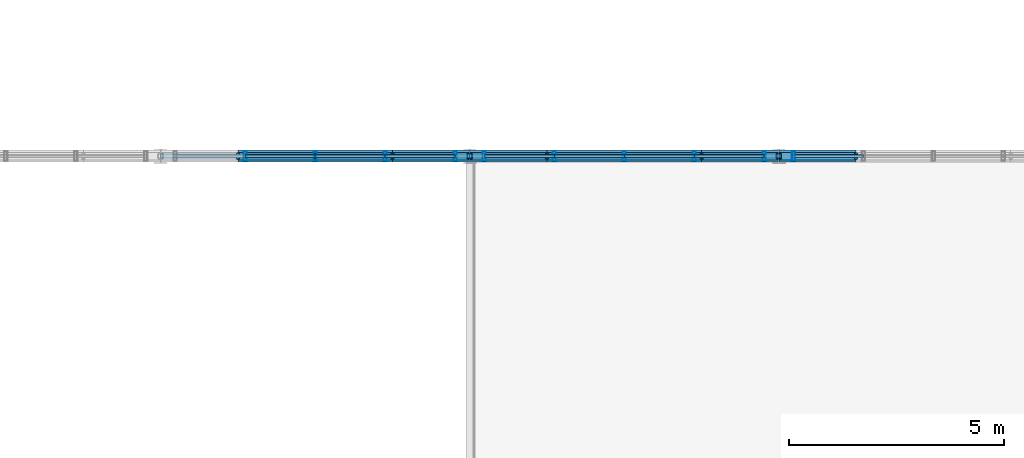
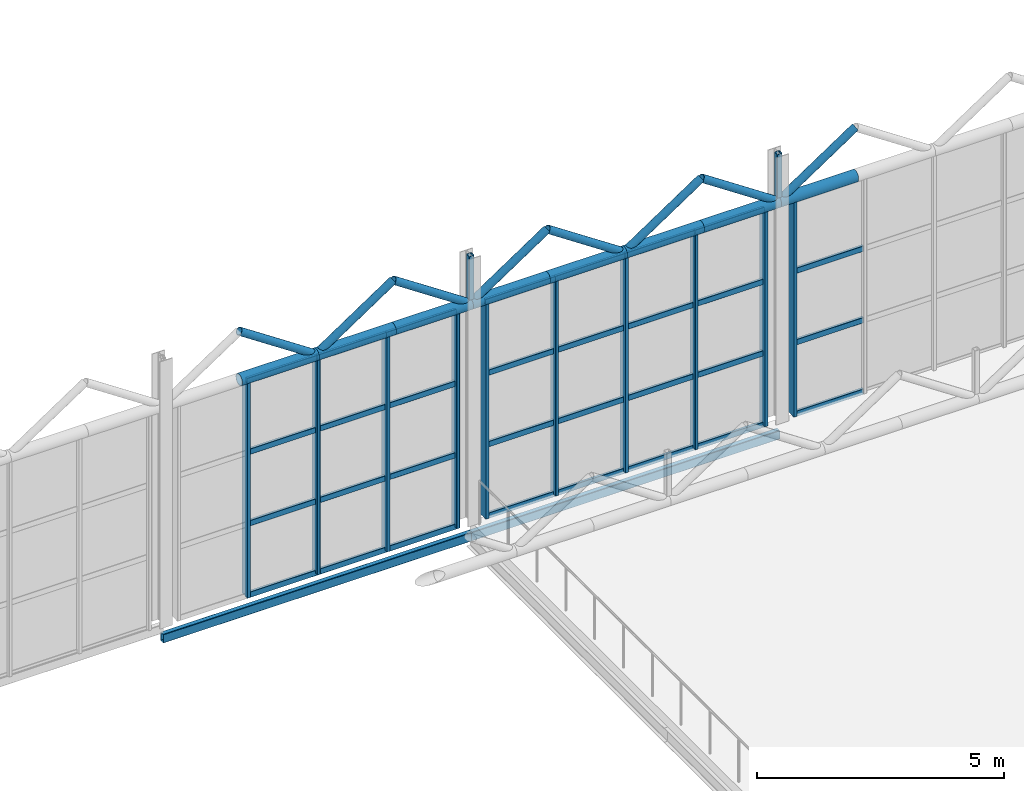
# One storey, part 97 of 153: 59 members, 2 beams, 3 elements without a shape of their own.
"""IFC4 building model written with IfcOpenShell, lengths in metres."""

from ifc_helpers import new_model, si_unit, derived_unit, direction, frame, origin, origin_2d, place, context, subcontext, project, spatial, hollow_rectangle, hollow_circle, extrude, material, material_profile, profile_set, type_object, element, aggregate, save


model = new_model("IFC4")

# Units and contexts
model_context = context("Model", 3, precision=1e-05, world=origin(), true_north=direction((0.0, 1.0)))
body_context = subcontext(model_context, "Body", "Model", "MODEL_VIEW")
ifc_project = project(units=[si_unit("LENGTHUNIT", "METRE"), si_unit("AREAUNIT", "SQUARE_METRE"), si_unit("VOLUMEUNIT", "CUBIC_METRE"), si_unit("PLANEANGLEUNIT", "RADIAN"), si_unit("MASSUNIT", "GRAM", prefix="KILO"), derived_unit("THERMALTRANSMITTANCEUNIT", [(si_unit("POWERUNIT", "WATT"), 1), (si_unit("LENGTHUNIT", "METRE"), -2), (si_unit("THERMODYNAMICTEMPERATUREUNIT", "KELVIN"), -1)])], contexts=[model_context])

# Site, building, storey
site_placement = place(None, origin())
site = spatial("IfcSite", under=ifc_project, at=site_placement, CompositionType="ELEMENT")
building_placement = place(site_placement, origin())
building = spatial("IfcBuilding", under=site, at=building_placement, Name="Keldorne Ridge Multi-Sports Centre", CompositionType="ELEMENT")
storey_placement = place(building_placement, frame((0.0, 0.0, 9.60009765625)))
storey = spatial("IfcBuildingStorey", under=building, at=storey_placement, Name="L02", CompositionType="ELEMENT", Elevation=9.60009765625)

# Beams
ifc_material_1 = material(Name="Steel S355", Category="steel")
ifc_material_profile_1 = material_profile(ifc_material_1, hollow_rectangle(XDim=0.1201171875, YDim=0.219970703125, WallThickness=0.010009765625, InnerFilletRadius=0.010009765625, OuterFilletRadius=0.02001953125, at=origin_2d()), Name="RHS 220x120x10")
ifc_profile_set_1 = profile_set([ifc_material_profile_1], Name="Steel S355")
beam_type = type_object("IfcBeamType", Name="BM-SP-07", PredefinedType="SPANDREL", material=ifc_profile_set_1)
beam_1_placement = place(storey_placement, frame((20.39990234375, 114.0, -0.360107421875), z_axis=(1.0, 0.0, 0.0), x_axis=(0.0, 1.0, 0.0)))
element("IfcBeam", 1, at=beam_1_placement, inside=storey, type_object=beam_type, Name="Climbing spandrel L02.114.3", PredefinedType="SPANDREL", context=body_context, shape_type="SweptSolid", body=[
    extrude(hollow_rectangle(XDim=0.1201171875, YDim=0.219970703125, WallThickness=0.010009765625, InnerFilletRadius=0.010009765625, OuterFilletRadius=0.02001953125, at=origin_2d()), origin(), (0.0, 0.0, 1.0), 7.2001953125),
])
beam_2_placement = place(storey_placement, frame((27.60009765625, 114.0, -0.360107421875), z_axis=(1.0, 0.0, 0.0), x_axis=(0.0, 1.0, 0.0)))
element("IfcBeam", 2, at=beam_2_placement, inside=storey, type_object=beam_type, Name="Climbing spandrel L02.114.4", PredefinedType="SPANDREL", context=body_context, shape_type="SweptSolid", body=[
    extrude(hollow_rectangle(XDim=0.1201171875, YDim=0.219970703125, WallThickness=0.010009765625, InnerFilletRadius=0.010009765625, OuterFilletRadius=0.02001953125, at=origin_2d()), origin(), (0.0, 0.0, 1.0), 7.199951171875),
])

# Curtain wall, members
ifc_material_2 = material(Name="Anodized aluminium", Category="aluminium")
curtain_wall_type_1 = type_object("IfcCurtainWallType", Name="CW-CW-07", PredefinedType="NOTDEFINED", material=ifc_material_2)
curtain_wall_1_placement = place(storey_placement, origin())
curtain_wall_1 = element("IfcCurtainWall", 3, at=curtain_wall_1_placement, inside=storey, type_object=curtain_wall_type_1, Name="Climbing north glazing L02 047", PredefinedType="NOTDEFINED")
ifc_material_profile_2 = material_profile(ifc_material_2, hollow_rectangle(XDim=0.074951171875, YDim=0.219970703125, WallThickness=0.0048828125, InnerFilletRadius=0.0048828125, OuterFilletRadius=0.010009765625, at=origin_2d()), Name="ALU MULLION 220x75x5")
ifc_profile_set_2 = profile_set([ifc_material_profile_2], Name="Anodized aluminium")
member_type_1 = type_object("IfcMemberType", Name="MEM-ML-02", PredefinedType="MULLION", material=ifc_profile_set_2)
member_1_placement = place(storey_placement, frame((27.260009765625, 114.0, 0.0), z_axis=(0.0, 0.0, 1.0), x_axis=(1.0, 0.0, 0.0)))
member_1 = element("IfcMember", 4, at=member_1_placement, type_object=member_type_1, Name="CW-047 vertical mullion 1", PredefinedType="MULLION", context=body_context, shape_type="SweptSolid", body=[
    extrude(hollow_rectangle(XDim=0.074951171875, YDim=0.219970703125, WallThickness=0.0048828125, InnerFilletRadius=0.0048828125, OuterFilletRadius=0.010009765625, at=origin_2d()), origin(), (0.0, 0.0, 1.0), 5.2998046875),
])
member_2_placement = place(storey_placement, frame((25.6298828125, 114.0, 0.0), z_axis=(0.0, 0.0, 1.0), x_axis=(1.0, 0.0, 0.0)))
member_2 = element("IfcMember", 5, at=member_2_placement, type_object=member_type_1, Name="CW-047 vertical mullion 2", PredefinedType="MULLION", context=body_context, shape_type="SweptSolid", body=[
    extrude(hollow_rectangle(XDim=0.074951171875, YDim=0.219970703125, WallThickness=0.0048828125, InnerFilletRadius=0.0048828125, OuterFilletRadius=0.010009765625, at=origin_2d()), origin(), (0.0, 0.0, 1.0), 5.2998046875),
])
member_3_placement = place(storey_placement, frame((24.0, 114.0, 0.0), z_axis=(0.0, 0.0, 1.0), x_axis=(1.0, 0.0, 0.0)))
member_3 = element("IfcMember", 6, at=member_3_placement, type_object=member_type_1, Name="CW-047 vertical mullion 3", PredefinedType="MULLION", context=body_context, shape_type="SweptSolid", body=[
    extrude(hollow_rectangle(XDim=0.074951171875, YDim=0.219970703125, WallThickness=0.0048828125, InnerFilletRadius=0.0048828125, OuterFilletRadius=0.010009765625, at=origin_2d()), origin(), (0.0, 0.0, 1.0), 5.2998046875),
])
member_4_placement = place(storey_placement, frame((22.3701171875, 114.0, 0.0), z_axis=(0.0, 0.0, 1.0), x_axis=(1.0, 0.0, 0.0)))
member_4 = element("IfcMember", 7, at=member_4_placement, type_object=member_type_1, Name="CW-047 vertical mullion 4", PredefinedType="MULLION", context=body_context, shape_type="SweptSolid", body=[
    extrude(hollow_rectangle(XDim=0.074951171875, YDim=0.219970703125, WallThickness=0.0048828125, InnerFilletRadius=0.0048828125, OuterFilletRadius=0.010009765625, at=origin_2d()), origin(), (0.0, 0.0, 1.0), 5.2998046875),
])

curtain_wall_type_2 = type_object("IfcCurtainWallType", Name="CW-CW-03", PredefinedType="NOTDEFINED", material=ifc_material_2)
curtain_wall_2_placement = place(storey_placement, origin())
curtain_wall_2 = element("IfcCurtainWall", 8, at=curtain_wall_2_placement, inside=storey, type_object=curtain_wall_type_2, Name="Climbing north glazing L02 051", PredefinedType="NOTDEFINED")
member_5_placement = place(storey_placement, frame((34.4599609375, 114.0, 0.0), z_axis=(0.0, 0.0, 1.0), x_axis=(1.0, 0.0, 0.0)))
member_5 = element("IfcMember", 9, at=member_5_placement, type_object=member_type_1, Name="CW-051 vertical mullion 1", PredefinedType="MULLION", context=body_context, shape_type="SweptSolid", body=[
    extrude(hollow_rectangle(XDim=0.074951171875, YDim=0.219970703125, WallThickness=0.0048828125, InnerFilletRadius=0.0048828125, OuterFilletRadius=0.010009765625, at=origin_2d()), origin(), (0.0, 0.0, 1.0), 5.2998046875),
])
member_6_placement = place(storey_placement, frame((32.830078125, 114.0, 0.0), z_axis=(0.0, 0.0, 1.0), x_axis=(1.0, 0.0, 0.0)))
member_6 = element("IfcMember", 10, at=member_6_placement, type_object=member_type_1, Name="CW-051 vertical mullion 2", PredefinedType="MULLION", context=body_context, shape_type="SweptSolid", body=[
    extrude(hollow_rectangle(XDim=0.074951171875, YDim=0.219970703125, WallThickness=0.0048828125, InnerFilletRadius=0.0048828125, OuterFilletRadius=0.010009765625, at=origin_2d()), origin(), (0.0, 0.0, 1.0), 5.2998046875),
])
member_7_placement = place(storey_placement, frame((31.199951171875, 114.0, 0.0), z_axis=(0.0, 0.0, 1.0), x_axis=(1.0, 0.0, 0.0)))
member_7 = element("IfcMember", 11, at=member_7_placement, type_object=member_type_1, Name="CW-051 vertical mullion 3", PredefinedType="MULLION", context=body_context, shape_type="SweptSolid", body=[
    extrude(hollow_rectangle(XDim=0.074951171875, YDim=0.219970703125, WallThickness=0.0048828125, InnerFilletRadius=0.0048828125, OuterFilletRadius=0.010009765625, at=origin_2d()), origin(), (0.0, 0.0, 1.0), 5.2998046875),
])
member_8_placement = place(storey_placement, frame((29.570068359375, 114.0, 0.0), z_axis=(0.0, 0.0, 1.0), x_axis=(1.0, 0.0, 0.0)))
member_8 = element("IfcMember", 12, at=member_8_placement, type_object=member_type_1, Name="CW-051 vertical mullion 4", PredefinedType="MULLION", context=body_context, shape_type="SweptSolid", body=[
    extrude(hollow_rectangle(XDim=0.074951171875, YDim=0.219970703125, WallThickness=0.0048828125, InnerFilletRadius=0.0048828125, OuterFilletRadius=0.010009765625, at=origin_2d()), origin(), (0.0, 0.0, 1.0), 5.2998046875),
])
member_9_placement = place(storey_placement, frame((27.93994140625, 114.0, 0.0), z_axis=(0.0, 0.0, 1.0), x_axis=(1.0, 0.0, 0.0)))
member_9 = element("IfcMember", 13, at=member_9_placement, type_object=member_type_1, Name="CW-051 vertical mullion 5", PredefinedType="MULLION", context=body_context, shape_type="SweptSolid", body=[
    extrude(hollow_rectangle(XDim=0.074951171875, YDim=0.219970703125, WallThickness=0.0048828125, InnerFilletRadius=0.0048828125, OuterFilletRadius=0.010009765625, at=origin_2d()), origin(), (0.0, 0.0, 1.0), 5.2998046875),
])

# Curtain wall, member
curtain_wall_type_3 = type_object("IfcCurtainWallType", Name="CW-CW-01", PredefinedType="NOTDEFINED", material=ifc_material_2)
curtain_wall_3_placement = place(storey_placement, origin())
curtain_wall_3 = element("IfcCurtainWall", 14, at=curtain_wall_3_placement, inside=storey, type_object=curtain_wall_type_3, Name="Climbing north glazing L02 057", PredefinedType="NOTDEFINED")
member_10_placement = place(storey_placement, frame((35.139892578125, 114.0, 0.0), z_axis=(0.0, 0.0, 1.0), x_axis=(1.0, 0.0, 0.0)))
member_10 = element("IfcMember", 15, at=member_10_placement, type_object=member_type_1, Name="CW-057 vertical mullion 5", PredefinedType="MULLION", context=body_context, shape_type="SweptSolid", body=[
    extrude(hollow_rectangle(XDim=0.074951171875, YDim=0.219970703125, WallThickness=0.0048828125, InnerFilletRadius=0.0048828125, OuterFilletRadius=0.010009765625, at=origin_2d()), origin(), (0.0, 0.0, 1.0), 5.2998046875),
])

# Members
ifc_material_profile_3 = material_profile(ifc_material_1, hollow_circle(Radius=0.136474609375, WallThickness=0.012451171875, at=origin_2d()), Name="CHS 273x12.5")
ifc_profile_set_3 = profile_set([ifc_material_profile_3], Name="Steel S355")
member_type_2 = type_object("IfcMemberType", Name="MEM-TC-05", PredefinedType="CHORD", material=ifc_profile_set_3)
for number, where, z_axis, x_axis, name in (
    (16, (22.199951171875, 114.0, 5.3798828125), (1.0, 0.0, 0.0), (0.0, 1.0, 0.0), "Climbing sawtooth ROOF TRUSS ST-06 bottom chord 10"),
    (17, (24.0, 114.0, 5.3798828125), (1.0, 0.0, 0.0), (0.0, 1.0, 0.0), "Climbing sawtooth ROOF TRUSS ST-06 bottom chord 11"),
    (18, (25.800048828125, 114.0, 5.3798828125), (1.0, 0.0, 0.0), (0.0, 1.0, 0.0), "Climbing sawtooth ROOF TRUSS ST-06 bottom chord 12"),
):
    element("IfcMember", number, at=place(storey_placement, frame(where, z_axis=z_axis, x_axis=x_axis)), inside=storey, type_object=member_type_2, Name=name, PredefinedType="CHORD", context=body_context, shape_type="SweptSolid", body=[
        extrude(hollow_circle(Radius=0.136474609375, WallThickness=0.012451171875, at=origin_2d()), origin(), (0.0, 0.0, 1.0), 1.800048828125),
    ])
member_11_placement = place(storey_placement, frame((27.60009765625, 114.0, 5.3798828125), z_axis=(1.0, 0.0, 0.0), x_axis=(0.0, 1.0, 0.0)))
element("IfcMember", 19, at=member_11_placement, inside=storey, type_object=member_type_2, Name="Climbing sawtooth ROOF TRUSS ST-06 bottom chord 13", PredefinedType="CHORD", context=body_context, shape_type="SweptSolid", body=[
    extrude(hollow_circle(Radius=0.136474609375, WallThickness=0.012451171875, at=origin_2d()), origin(), (0.0, 0.0, 1.0), 1.7998046875),
])
for number, where, z_axis, x_axis, name in (
    (20, (29.39990234375, 114.0, 5.3798828125), (1.0, 0.0, 0.0), (0.0, 1.0, 0.0), "Climbing sawtooth ROOF TRUSS ST-06 bottom chord 14"),
    (21, (31.199951171875, 114.0, 5.3798828125), (1.0, 0.0, 0.0), (0.0, 1.0, 0.0), "Climbing sawtooth ROOF TRUSS ST-06 bottom chord 15"),
    (22, (33.0, 114.0, 5.3798828125), (1.0, 0.0, 0.0), (0.0, 1.0, 0.0), "Climbing sawtooth ROOF TRUSS ST-06 bottom chord 16"),
    (23, (34.800048828125, 114.0, 5.3798828125), (1.0, 0.0, 0.0), (0.0, 1.0, 0.0), "Climbing sawtooth ROOF TRUSS ST-06 bottom chord 17"),
):
    element("IfcMember", number, at=place(storey_placement, frame(where, z_axis=z_axis, x_axis=x_axis)), inside=storey, type_object=member_type_2, Name=name, PredefinedType="CHORD", context=body_context, shape_type="SweptSolid", body=[
        extrude(hollow_circle(Radius=0.136474609375, WallThickness=0.012451171875, at=origin_2d()), origin(), (0.0, 0.0, 1.0), 1.800048828125),
    ])
ifc_material_profile_4 = material_profile(ifc_material_1, hollow_circle(Radius=0.0888671875, WallThickness=0.010009765625, at=origin_2d()), Name="CHS 177.8x10")
ifc_profile_set_4 = profile_set([ifc_material_profile_4], Name="Steel S355")
member_type_3 = type_object("IfcMemberType", Name="MEM-TD-03", PredefinedType="BRACE", material=ifc_profile_set_4)
for number, where, z_axis, x_axis, name in (
    (24, (22.199951171875, 114.0, 6.579833984375), (0.832067655982, 0.0, -0.554674152876), (0.0, 1.0, 0.0), "Climbing sawtooth web diagonal 06.10"),
    (25, (24.0, 114.0, 5.3798828125), (0.832067655982, 0.0, 0.554674152876), (0.0, 1.0, 0.0), "Climbing sawtooth web diagonal 06.11"),
    (26, (25.800048828125, 114.0, 6.579833984375), (0.832067655982, 0.0, -0.554674152876), (0.0, 1.0, 0.0), "Climbing sawtooth web diagonal 06.12"),
):
    element("IfcMember", number, at=place(storey_placement, frame(where, z_axis=z_axis, x_axis=x_axis)), inside=storey, type_object=member_type_3, Name=name, PredefinedType="BRACE", context=body_context, shape_type="SweptSolid", body=[
        extrude(hollow_circle(Radius=0.0888671875, WallThickness=0.010009765625, at=origin_2d()), origin(), (0.0, 0.0, 1.0), 2.163330078125),
    ])
member_12_placement = place(storey_placement, frame((27.60009765625, 114.0, 5.3798828125), z_axis=(0.832032930248, 0.0, 0.554726241477), x_axis=(0.0, 1.0, 0.0)))
element("IfcMember", 27, at=member_12_placement, inside=storey, type_object=member_type_3, Name="Climbing sawtooth web diagonal 06.13", PredefinedType="BRACE", context=body_context, shape_type="SweptSolid", body=[
    extrude(hollow_circle(Radius=0.0888671875, WallThickness=0.010009765625, at=origin_2d()), origin(), (0.0, 0.0, 1.0), 2.1630859375),
])
for number, where, z_axis, x_axis, name in (
    (28, (29.39990234375, 114.0, 6.579833984375), (0.832067655982, 0.0, -0.554674152876), (0.0, 1.0, 0.0), "Climbing sawtooth web diagonal 06.14"),
    (29, (31.199951171875, 114.0, 5.3798828125), (0.832067655982, 0.0, 0.554674152876), (0.0, 1.0, 0.0), "Climbing sawtooth web diagonal 06.15"),
    (30, (33.0, 114.0, 6.579833984375), (0.832067655982, 0.0, -0.554674152876), (0.0, 1.0, 0.0), "Climbing sawtooth web diagonal 06.16"),
    (31, (34.800048828125, 114.0, 5.3798828125), (0.832067655982, 0.0, 0.554674152876), (0.0, 1.0, 0.0), "Climbing sawtooth web diagonal 06.17"),
):
    element("IfcMember", number, at=place(storey_placement, frame(where, z_axis=z_axis, x_axis=x_axis)), inside=storey, type_object=member_type_3, Name=name, PredefinedType="BRACE", context=body_context, shape_type="SweptSolid", body=[
        extrude(hollow_circle(Radius=0.0888671875, WallThickness=0.010009765625, at=origin_2d()), origin(), (0.0, 0.0, 1.0), 2.163330078125),
    ])

# Member
ifc_material_profile_5 = material_profile(ifc_material_2, hollow_rectangle(XDim=0.06494140625, YDim=0.139892578125, WallThickness=0.00439453125, InnerFilletRadius=0.00439453125, OuterFilletRadius=0.009033203125, at=origin_2d()), Name="ALU TRANSOM 140x65x4.5")
ifc_profile_set_5 = profile_set([ifc_material_profile_5], Name="Anodized aluminium")
member_type_4 = type_object("IfcMemberType", Name="MEM-TR-01", PredefinedType="USERDEFINED", material=ifc_profile_set_5)
member_13_placement = place(storey_placement, frame((27.260009765625, 114.0, 0.0), z_axis=(-1.0, 0.0, 0.0), x_axis=(0.0, -1.0, 0.0)))
member_13 = element("IfcMember", 32, at=member_13_placement, type_object=member_type_4, Name="CW-047 transom 1.1", ObjectType="TRANSOM", PredefinedType="USERDEFINED", context=body_context, shape_type="SweptSolid", body=[
    extrude(hollow_rectangle(XDim=0.06494140625, YDim=0.139892578125, WallThickness=0.00439453125, InnerFilletRadius=0.00439453125, OuterFilletRadius=0.009033203125, at=origin_2d()), origin(), (0.0, 0.0, 1.0), 1.630126953125),
])

member_14_placement = place(storey_placement, frame((27.260009765625, 114.0, 1.7666015625), z_axis=(-1.0, 0.0, 0.0), x_axis=(0.0, -1.0, 0.0)))
member_14 = element("IfcMember", 33, at=member_14_placement, type_object=member_type_4, Name="CW-047 transom 1.2", ObjectType="TRANSOM", PredefinedType="USERDEFINED", context=body_context, shape_type="SweptSolid", body=[
    extrude(hollow_rectangle(XDim=0.06494140625, YDim=0.139892578125, WallThickness=0.00439453125, InnerFilletRadius=0.00439453125, OuterFilletRadius=0.009033203125, at=origin_2d()), origin(), (0.0, 0.0, 1.0), 1.630126953125),
])

member_15_placement = place(storey_placement, frame((27.260009765625, 114.0, 3.533203125), z_axis=(-1.0, 0.0, 0.0), x_axis=(0.0, -1.0, 0.0)))
member_15 = element("IfcMember", 34, at=member_15_placement, type_object=member_type_4, Name="CW-047 transom 1.3", ObjectType="TRANSOM", PredefinedType="USERDEFINED", context=body_context, shape_type="SweptSolid", body=[
    extrude(hollow_rectangle(XDim=0.06494140625, YDim=0.139892578125, WallThickness=0.00439453125, InnerFilletRadius=0.00439453125, OuterFilletRadius=0.009033203125, at=origin_2d()), origin(), (0.0, 0.0, 1.0), 1.630126953125),
])

member_16_placement = place(storey_placement, frame((27.260009765625, 114.0, 5.2998046875), z_axis=(-1.0, 0.0, 0.0), x_axis=(0.0, -1.0, 0.0)))
member_16 = element("IfcMember", 35, at=member_16_placement, type_object=member_type_4, Name="CW-047 transom 1.4", ObjectType="TRANSOM", PredefinedType="USERDEFINED", context=body_context, shape_type="SweptSolid", body=[
    extrude(hollow_rectangle(XDim=0.06494140625, YDim=0.139892578125, WallThickness=0.00439453125, InnerFilletRadius=0.00439453125, OuterFilletRadius=0.009033203125, at=origin_2d()), origin(), (0.0, 0.0, 1.0), 1.630126953125),
])

member_17_placement = place(storey_placement, frame((25.6298828125, 114.0, 0.0), z_axis=(-1.0, 0.0, 0.0), x_axis=(0.0, -1.0, 0.0)))
member_17 = element("IfcMember", 36, at=member_17_placement, type_object=member_type_4, Name="CW-047 transom 2.1", ObjectType="TRANSOM", PredefinedType="USERDEFINED", context=body_context, shape_type="SweptSolid", body=[
    extrude(hollow_rectangle(XDim=0.06494140625, YDim=0.139892578125, WallThickness=0.00439453125, InnerFilletRadius=0.00439453125, OuterFilletRadius=0.009033203125, at=origin_2d()), origin(), (0.0, 0.0, 1.0), 1.6298828125),
])

member_18_placement = place(storey_placement, frame((25.6298828125, 114.0, 1.7666015625), z_axis=(-1.0, 0.0, 0.0), x_axis=(0.0, -1.0, 0.0)))
member_18 = element("IfcMember", 37, at=member_18_placement, type_object=member_type_4, Name="CW-047 transom 2.2", ObjectType="TRANSOM", PredefinedType="USERDEFINED", context=body_context, shape_type="SweptSolid", body=[
    extrude(hollow_rectangle(XDim=0.06494140625, YDim=0.139892578125, WallThickness=0.00439453125, InnerFilletRadius=0.00439453125, OuterFilletRadius=0.009033203125, at=origin_2d()), origin(), (0.0, 0.0, 1.0), 1.6298828125),
])

member_19_placement = place(storey_placement, frame((25.6298828125, 114.0, 3.533203125), z_axis=(-1.0, 0.0, 0.0), x_axis=(0.0, -1.0, 0.0)))
member_19 = element("IfcMember", 38, at=member_19_placement, type_object=member_type_4, Name="CW-047 transom 2.3", ObjectType="TRANSOM", PredefinedType="USERDEFINED", context=body_context, shape_type="SweptSolid", body=[
    extrude(hollow_rectangle(XDim=0.06494140625, YDim=0.139892578125, WallThickness=0.00439453125, InnerFilletRadius=0.00439453125, OuterFilletRadius=0.009033203125, at=origin_2d()), origin(), (0.0, 0.0, 1.0), 1.6298828125),
])

member_20_placement = place(storey_placement, frame((25.6298828125, 114.0, 5.2998046875), z_axis=(-1.0, 0.0, 0.0), x_axis=(0.0, -1.0, 0.0)))
member_20 = element("IfcMember", 39, at=member_20_placement, type_object=member_type_4, Name="CW-047 transom 2.4", ObjectType="TRANSOM", PredefinedType="USERDEFINED", context=body_context, shape_type="SweptSolid", body=[
    extrude(hollow_rectangle(XDim=0.06494140625, YDim=0.139892578125, WallThickness=0.00439453125, InnerFilletRadius=0.00439453125, OuterFilletRadius=0.009033203125, at=origin_2d()), origin(), (0.0, 0.0, 1.0), 1.6298828125),
])

member_21_placement = place(storey_placement, frame((24.0, 114.0, 0.0), z_axis=(-1.0, 0.0, 0.0), x_axis=(0.0, -1.0, 0.0)))
member_21 = element("IfcMember", 40, at=member_21_placement, type_object=member_type_4, Name="CW-047 transom 3.1", ObjectType="TRANSOM", PredefinedType="USERDEFINED", context=body_context, shape_type="SweptSolid", body=[
    extrude(hollow_rectangle(XDim=0.06494140625, YDim=0.139892578125, WallThickness=0.00439453125, InnerFilletRadius=0.00439453125, OuterFilletRadius=0.009033203125, at=origin_2d()), origin(), (0.0, 0.0, 1.0), 1.6298828125),
])

member_22_placement = place(storey_placement, frame((24.0, 114.0, 1.7666015625), z_axis=(-1.0, 0.0, 0.0), x_axis=(0.0, -1.0, 0.0)))
member_22 = element("IfcMember", 41, at=member_22_placement, type_object=member_type_4, Name="CW-047 transom 3.2", ObjectType="TRANSOM", PredefinedType="USERDEFINED", context=body_context, shape_type="SweptSolid", body=[
    extrude(hollow_rectangle(XDim=0.06494140625, YDim=0.139892578125, WallThickness=0.00439453125, InnerFilletRadius=0.00439453125, OuterFilletRadius=0.009033203125, at=origin_2d()), origin(), (0.0, 0.0, 1.0), 1.6298828125),
])

member_23_placement = place(storey_placement, frame((24.0, 114.0, 3.533203125), z_axis=(-1.0, 0.0, 0.0), x_axis=(0.0, -1.0, 0.0)))
member_23 = element("IfcMember", 42, at=member_23_placement, type_object=member_type_4, Name="CW-047 transom 3.3", ObjectType="TRANSOM", PredefinedType="USERDEFINED", context=body_context, shape_type="SweptSolid", body=[
    extrude(hollow_rectangle(XDim=0.06494140625, YDim=0.139892578125, WallThickness=0.00439453125, InnerFilletRadius=0.00439453125, OuterFilletRadius=0.009033203125, at=origin_2d()), origin(), (0.0, 0.0, 1.0), 1.6298828125),
])

member_24_placement = place(storey_placement, frame((24.0, 114.0, 5.2998046875), z_axis=(-1.0, 0.0, 0.0), x_axis=(0.0, -1.0, 0.0)))
member_24 = element("IfcMember", 43, at=member_24_placement, type_object=member_type_4, Name="CW-047 transom 3.4", ObjectType="TRANSOM", PredefinedType="USERDEFINED", context=body_context, shape_type="SweptSolid", body=[
    extrude(hollow_rectangle(XDim=0.06494140625, YDim=0.139892578125, WallThickness=0.00439453125, InnerFilletRadius=0.00439453125, OuterFilletRadius=0.009033203125, at=origin_2d()), origin(), (0.0, 0.0, 1.0), 1.6298828125),
])

aggregate(curtain_wall_1, [member_1, member_2, member_3, member_4, member_13, member_14, member_15, member_16, member_17, member_18, member_19, member_20, member_21, member_22, member_23, member_24])

member_25_placement = place(storey_placement, frame((34.4599609375, 114.0, 0.0), z_axis=(-1.0, 0.0, 0.0), x_axis=(0.0, -1.0, 0.0)))
member_25 = element("IfcMember", 44, at=member_25_placement, type_object=member_type_4, Name="CW-051 transom 1.1", ObjectType="TRANSOM", PredefinedType="USERDEFINED", context=body_context, shape_type="SweptSolid", body=[
    extrude(hollow_rectangle(XDim=0.06494140625, YDim=0.139892578125, WallThickness=0.00439453125, InnerFilletRadius=0.00439453125, OuterFilletRadius=0.009033203125, at=origin_2d()), origin(), (0.0, 0.0, 1.0), 1.6298828125),
])

member_26_placement = place(storey_placement, frame((34.4599609375, 114.0, 1.7666015625), z_axis=(-1.0, 0.0, 0.0), x_axis=(0.0, -1.0, 0.0)))
member_26 = element("IfcMember", 45, at=member_26_placement, type_object=member_type_4, Name="CW-051 transom 1.2", ObjectType="TRANSOM", PredefinedType="USERDEFINED", context=body_context, shape_type="SweptSolid", body=[
    extrude(hollow_rectangle(XDim=0.06494140625, YDim=0.139892578125, WallThickness=0.00439453125, InnerFilletRadius=0.00439453125, OuterFilletRadius=0.009033203125, at=origin_2d()), origin(), (0.0, 0.0, 1.0), 1.6298828125),
])

member_27_placement = place(storey_placement, frame((34.4599609375, 114.0, 3.533203125), z_axis=(-1.0, 0.0, 0.0), x_axis=(0.0, -1.0, 0.0)))
member_27 = element("IfcMember", 46, at=member_27_placement, type_object=member_type_4, Name="CW-051 transom 1.3", ObjectType="TRANSOM", PredefinedType="USERDEFINED", context=body_context, shape_type="SweptSolid", body=[
    extrude(hollow_rectangle(XDim=0.06494140625, YDim=0.139892578125, WallThickness=0.00439453125, InnerFilletRadius=0.00439453125, OuterFilletRadius=0.009033203125, at=origin_2d()), origin(), (0.0, 0.0, 1.0), 1.6298828125),
])

member_28_placement = place(storey_placement, frame((34.4599609375, 114.0, 5.2998046875), z_axis=(-1.0, 0.0, 0.0), x_axis=(0.0, -1.0, 0.0)))
member_28 = element("IfcMember", 47, at=member_28_placement, type_object=member_type_4, Name="CW-051 transom 1.4", ObjectType="TRANSOM", PredefinedType="USERDEFINED", context=body_context, shape_type="SweptSolid", body=[
    extrude(hollow_rectangle(XDim=0.06494140625, YDim=0.139892578125, WallThickness=0.00439453125, InnerFilletRadius=0.00439453125, OuterFilletRadius=0.009033203125, at=origin_2d()), origin(), (0.0, 0.0, 1.0), 1.6298828125),
])

member_29_placement = place(storey_placement, frame((32.830078125, 114.0, 0.0), z_axis=(-1.0, 0.0, 0.0), x_axis=(0.0, -1.0, 0.0)))
member_29 = element("IfcMember", 48, at=member_29_placement, type_object=member_type_4, Name="CW-051 transom 2.1", ObjectType="TRANSOM", PredefinedType="USERDEFINED", context=body_context, shape_type="SweptSolid", body=[
    extrude(hollow_rectangle(XDim=0.06494140625, YDim=0.139892578125, WallThickness=0.00439453125, InnerFilletRadius=0.00439453125, OuterFilletRadius=0.009033203125, at=origin_2d()), origin(), (0.0, 0.0, 1.0), 1.630126953125),
])

member_30_placement = place(storey_placement, frame((32.830078125, 114.0, 1.7666015625), z_axis=(-1.0, 0.0, 0.0), x_axis=(0.0, -1.0, 0.0)))
member_30 = element("IfcMember", 49, at=member_30_placement, type_object=member_type_4, Name="CW-051 transom 2.2", ObjectType="TRANSOM", PredefinedType="USERDEFINED", context=body_context, shape_type="SweptSolid", body=[
    extrude(hollow_rectangle(XDim=0.06494140625, YDim=0.139892578125, WallThickness=0.00439453125, InnerFilletRadius=0.00439453125, OuterFilletRadius=0.009033203125, at=origin_2d()), origin(), (0.0, 0.0, 1.0), 1.630126953125),
])

member_31_placement = place(storey_placement, frame((32.830078125, 114.0, 3.533203125), z_axis=(-1.0, 0.0, 0.0), x_axis=(0.0, -1.0, 0.0)))
member_31 = element("IfcMember", 50, at=member_31_placement, type_object=member_type_4, Name="CW-051 transom 2.3", ObjectType="TRANSOM", PredefinedType="USERDEFINED", context=body_context, shape_type="SweptSolid", body=[
    extrude(hollow_rectangle(XDim=0.06494140625, YDim=0.139892578125, WallThickness=0.00439453125, InnerFilletRadius=0.00439453125, OuterFilletRadius=0.009033203125, at=origin_2d()), origin(), (0.0, 0.0, 1.0), 1.630126953125),
])

member_32_placement = place(storey_placement, frame((32.830078125, 114.0, 5.2998046875), z_axis=(-1.0, 0.0, 0.0), x_axis=(0.0, -1.0, 0.0)))
member_32 = element("IfcMember", 51, at=member_32_placement, type_object=member_type_4, Name="CW-051 transom 2.4", ObjectType="TRANSOM", PredefinedType="USERDEFINED", context=body_context, shape_type="SweptSolid", body=[
    extrude(hollow_rectangle(XDim=0.06494140625, YDim=0.139892578125, WallThickness=0.00439453125, InnerFilletRadius=0.00439453125, OuterFilletRadius=0.009033203125, at=origin_2d()), origin(), (0.0, 0.0, 1.0), 1.630126953125),
])

member_33_placement = place(storey_placement, frame((31.199951171875, 114.0, 0.0), z_axis=(-1.0, 0.0, 0.0), x_axis=(0.0, -1.0, 0.0)))
member_33 = element("IfcMember", 52, at=member_33_placement, type_object=member_type_4, Name="CW-051 transom 3.1", ObjectType="TRANSOM", PredefinedType="USERDEFINED", context=body_context, shape_type="SweptSolid", body=[
    extrude(hollow_rectangle(XDim=0.06494140625, YDim=0.139892578125, WallThickness=0.00439453125, InnerFilletRadius=0.00439453125, OuterFilletRadius=0.009033203125, at=origin_2d()), origin(), (0.0, 0.0, 1.0), 1.6298828125),
])

member_34_placement = place(storey_placement, frame((31.199951171875, 114.0, 1.7666015625), z_axis=(-1.0, 0.0, 0.0), x_axis=(0.0, -1.0, 0.0)))
member_34 = element("IfcMember", 53, at=member_34_placement, type_object=member_type_4, Name="CW-051 transom 3.2", ObjectType="TRANSOM", PredefinedType="USERDEFINED", context=body_context, shape_type="SweptSolid", body=[
    extrude(hollow_rectangle(XDim=0.06494140625, YDim=0.139892578125, WallThickness=0.00439453125, InnerFilletRadius=0.00439453125, OuterFilletRadius=0.009033203125, at=origin_2d()), origin(), (0.0, 0.0, 1.0), 1.6298828125),
])

member_35_placement = place(storey_placement, frame((31.199951171875, 114.0, 3.533203125), z_axis=(-1.0, 0.0, 0.0), x_axis=(0.0, -1.0, 0.0)))
member_35 = element("IfcMember", 54, at=member_35_placement, type_object=member_type_4, Name="CW-051 transom 3.3", ObjectType="TRANSOM", PredefinedType="USERDEFINED", context=body_context, shape_type="SweptSolid", body=[
    extrude(hollow_rectangle(XDim=0.06494140625, YDim=0.139892578125, WallThickness=0.00439453125, InnerFilletRadius=0.00439453125, OuterFilletRadius=0.009033203125, at=origin_2d()), origin(), (0.0, 0.0, 1.0), 1.6298828125),
])

member_36_placement = place(storey_placement, frame((31.199951171875, 114.0, 5.2998046875), z_axis=(-1.0, 0.0, 0.0), x_axis=(0.0, -1.0, 0.0)))
member_36 = element("IfcMember", 55, at=member_36_placement, type_object=member_type_4, Name="CW-051 transom 3.4", ObjectType="TRANSOM", PredefinedType="USERDEFINED", context=body_context, shape_type="SweptSolid", body=[
    extrude(hollow_rectangle(XDim=0.06494140625, YDim=0.139892578125, WallThickness=0.00439453125, InnerFilletRadius=0.00439453125, OuterFilletRadius=0.009033203125, at=origin_2d()), origin(), (0.0, 0.0, 1.0), 1.6298828125),
])

member_37_placement = place(storey_placement, frame((29.570068359375, 114.0, 0.0), z_axis=(-1.0, 0.0, 0.0), x_axis=(0.0, -1.0, 0.0)))
member_37 = element("IfcMember", 56, at=member_37_placement, type_object=member_type_4, Name="CW-051 transom 4.1", ObjectType="TRANSOM", PredefinedType="USERDEFINED", context=body_context, shape_type="SweptSolid", body=[
    extrude(hollow_rectangle(XDim=0.06494140625, YDim=0.139892578125, WallThickness=0.00439453125, InnerFilletRadius=0.00439453125, OuterFilletRadius=0.009033203125, at=origin_2d()), origin(), (0.0, 0.0, 1.0), 1.630126953125),
])

member_38_placement = place(storey_placement, frame((29.570068359375, 114.0, 1.7666015625), z_axis=(-1.0, 0.0, 0.0), x_axis=(0.0, -1.0, 0.0)))
member_38 = element("IfcMember", 57, at=member_38_placement, type_object=member_type_4, Name="CW-051 transom 4.2", ObjectType="TRANSOM", PredefinedType="USERDEFINED", context=body_context, shape_type="SweptSolid", body=[
    extrude(hollow_rectangle(XDim=0.06494140625, YDim=0.139892578125, WallThickness=0.00439453125, InnerFilletRadius=0.00439453125, OuterFilletRadius=0.009033203125, at=origin_2d()), origin(), (0.0, 0.0, 1.0), 1.630126953125),
])

member_39_placement = place(storey_placement, frame((29.570068359375, 114.0, 3.533203125), z_axis=(-1.0, 0.0, 0.0), x_axis=(0.0, -1.0, 0.0)))
member_39 = element("IfcMember", 58, at=member_39_placement, type_object=member_type_4, Name="CW-051 transom 4.3", ObjectType="TRANSOM", PredefinedType="USERDEFINED", context=body_context, shape_type="SweptSolid", body=[
    extrude(hollow_rectangle(XDim=0.06494140625, YDim=0.139892578125, WallThickness=0.00439453125, InnerFilletRadius=0.00439453125, OuterFilletRadius=0.009033203125, at=origin_2d()), origin(), (0.0, 0.0, 1.0), 1.630126953125),
])

member_40_placement = place(storey_placement, frame((29.570068359375, 114.0, 5.2998046875), z_axis=(-1.0, 0.0, 0.0), x_axis=(0.0, -1.0, 0.0)))
member_40 = element("IfcMember", 59, at=member_40_placement, type_object=member_type_4, Name="CW-051 transom 4.4", ObjectType="TRANSOM", PredefinedType="USERDEFINED", context=body_context, shape_type="SweptSolid", body=[
    extrude(hollow_rectangle(XDim=0.06494140625, YDim=0.139892578125, WallThickness=0.00439453125, InnerFilletRadius=0.00439453125, OuterFilletRadius=0.009033203125, at=origin_2d()), origin(), (0.0, 0.0, 1.0), 1.630126953125),
])

aggregate(curtain_wall_2, [member_5, member_6, member_7, member_8, member_9, member_25, member_26, member_27, member_28, member_29, member_30, member_31, member_32, member_33, member_34, member_35, member_36, member_37, member_38, member_39, member_40])

member_41_placement = place(storey_placement, frame((36.77001953125, 114.0, 0.0), z_axis=(-1.0, 0.0, 0.0), x_axis=(0.0, -1.0, 0.0)))
member_41 = element("IfcMember", 60, at=member_41_placement, type_object=member_type_4, Name="CW-057 transom 4.1", ObjectType="TRANSOM", PredefinedType="USERDEFINED", context=body_context, shape_type="SweptSolid", body=[
    extrude(hollow_rectangle(XDim=0.06494140625, YDim=0.139892578125, WallThickness=0.00439453125, InnerFilletRadius=0.00439453125, OuterFilletRadius=0.009033203125, at=origin_2d()), origin(), (0.0, 0.0, 1.0), 1.630126953125),
])

member_42_placement = place(storey_placement, frame((36.77001953125, 114.0, 1.7666015625), z_axis=(-1.0, 0.0, 0.0), x_axis=(0.0, -1.0, 0.0)))
member_42 = element("IfcMember", 61, at=member_42_placement, type_object=member_type_4, Name="CW-057 transom 4.2", ObjectType="TRANSOM", PredefinedType="USERDEFINED", context=body_context, shape_type="SweptSolid", body=[
    extrude(hollow_rectangle(XDim=0.06494140625, YDim=0.139892578125, WallThickness=0.00439453125, InnerFilletRadius=0.00439453125, OuterFilletRadius=0.009033203125, at=origin_2d()), origin(), (0.0, 0.0, 1.0), 1.630126953125),
])

member_43_placement = place(storey_placement, frame((36.77001953125, 114.0, 3.533203125), z_axis=(-1.0, 0.0, 0.0), x_axis=(0.0, -1.0, 0.0)))
member_43 = element("IfcMember", 62, at=member_43_placement, type_object=member_type_4, Name="CW-057 transom 4.3", ObjectType="TRANSOM", PredefinedType="USERDEFINED", context=body_context, shape_type="SweptSolid", body=[
    extrude(hollow_rectangle(XDim=0.06494140625, YDim=0.139892578125, WallThickness=0.00439453125, InnerFilletRadius=0.00439453125, OuterFilletRadius=0.009033203125, at=origin_2d()), origin(), (0.0, 0.0, 1.0), 1.630126953125),
])

aggregate(curtain_wall_3, [member_10, member_41, member_42, member_43])

# Members
ifc_material_profile_6 = material_profile(ifc_material_1, hollow_rectangle(XDim=0.1201171875, YDim=0.1201171875, WallThickness=0.008056640625, InnerFilletRadius=0.008056640625, OuterFilletRadius=0.01611328125, at=origin_2d()), Name="SHS 120x120x8")
ifc_profile_set_6 = profile_set([ifc_material_profile_6], Name="Steel S355")
member_type_5 = type_object("IfcMemberType", Name="MEM-TV-02", PredefinedType="STRUT", material=ifc_profile_set_6)
for number, where, z_axis, x_axis, name in (
    (63, (27.60009765625, 114.0, 5.3798828125), (0.0, 0.0, 1.0), (1.0, 0.0, 0.0), "Climbing sawtooth vertical strut 06.4"),
    (64, (34.800048828125, 114.0, 5.3798828125), (0.0, 0.0, 1.0), (1.0, 0.0, 0.0), "Climbing sawtooth vertical strut 06.5"),
):
    element("IfcMember", number, at=place(storey_placement, frame(where, z_axis=z_axis, x_axis=x_axis)), inside=storey, type_object=member_type_5, Name=name, PredefinedType="STRUT", context=body_context, shape_type="SweptSolid", body=[
        extrude(hollow_rectangle(XDim=0.1201171875, YDim=0.1201171875, WallThickness=0.008056640625, InnerFilletRadius=0.008056640625, OuterFilletRadius=0.01611328125, at=origin_2d()), origin(), (0.0, 0.0, 1.0), 1.199951171875),
    ])

save(model, "model.ifc")
